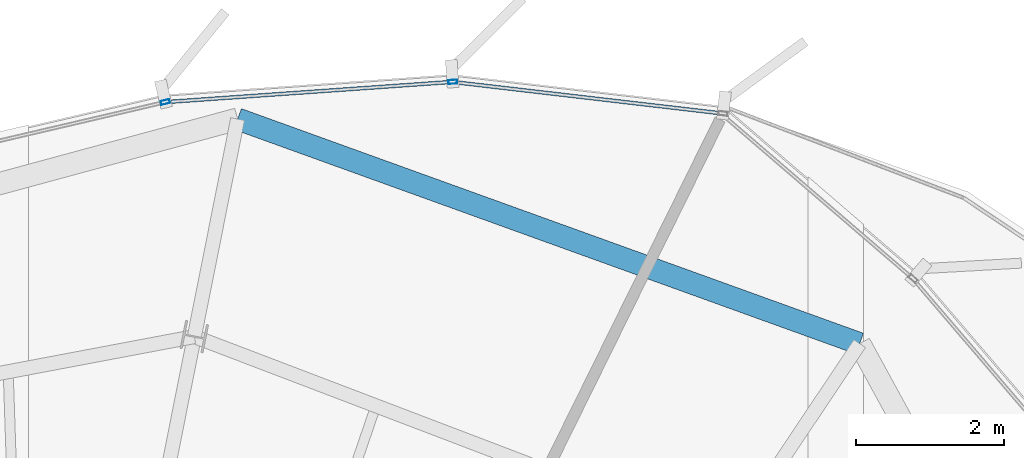
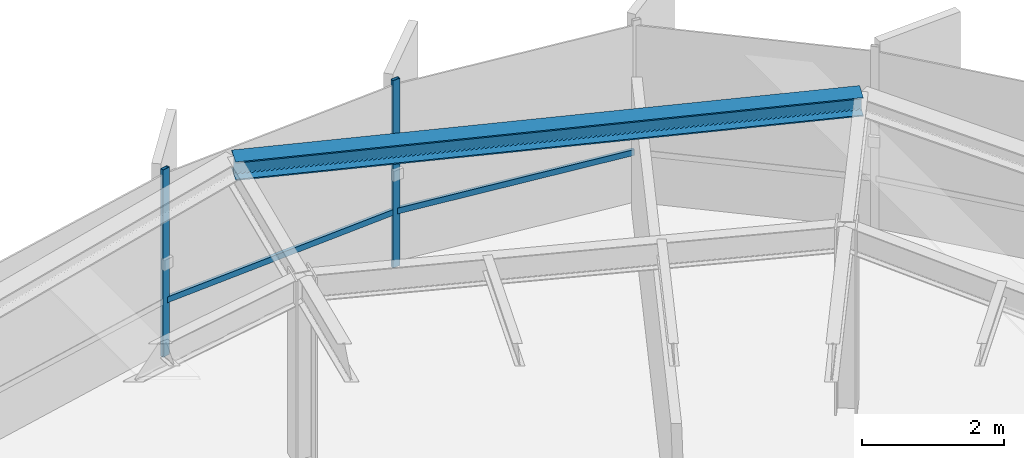
# One storey, part 23 of 34: 4 members, 1 beam, 1 element without a shape of its own.
"""IFC4 building model written with IfcOpenShell, lengths in metres."""

from ifc_helpers import new_model, si_unit, direction, frame, origin, origin_2d, place, context, subcontext, project, spatial, hollow_rectangle, i_section, extrude, source, transform, mapped, material, layer, layer_set, material_profile, profile_set, type_object, element, aggregate, save


model = new_model("IFC4")

# Units and contexts
model_context = context("Model", 3, precision=1e-05, world=origin(), true_north=direction((0.0, 1.0)))
body_context = subcontext(model_context, "Body", "Model", "MODEL_VIEW")
ifc_project = project(units=[si_unit("LENGTHUNIT", "METRE"), si_unit("AREAUNIT", "SQUARE_METRE"), si_unit("VOLUMEUNIT", "CUBIC_METRE"), si_unit("PLANEANGLEUNIT", "RADIAN"), si_unit("MASSUNIT", "GRAM", prefix="KILO"), si_unit("THERMODYNAMICTEMPERATUREUNIT", "KELVIN")], contexts=[model_context])

# Site, building, storey
site_placement = place(None, origin())
site = spatial("IfcSite", under=ifc_project, at=site_placement, CompositionType="ELEMENT")
building_placement = place(site_placement, origin())
building = spatial("IfcBuilding", under=site, at=building_placement, Name="Kethvar Cultural Tower", CompositionType="ELEMENT")
storey_placement = place(building_placement, frame((0.0, 0.0, 231.85009765625)))
storey = spatial("IfcBuildingStorey", under=building, at=storey_placement, Name="L60", CompositionType="ELEMENT", Elevation=231.85009765625)

# Beam
ifc_material_1 = material(Name="Steel S355J2", Category="steel")
ifc_material_profile_1 = material_profile(ifc_material_1, i_section(OverallWidth=0.300048828125, OverallDepth=0.320068359375, WebThickness=0.011474609375, FlangeThickness=0.0205078125, FilletRadius=0.027099609375, at=origin_2d()), Name="Steel S355J2 — HEB320")
ifc_profile_set_1 = profile_set([ifc_material_profile_1], Name="Steel S355J2 — HEB320")
beam_type = type_object("IfcBeamType", Name="BM-SP320", PredefinedType="SPANDREL", material=ifc_profile_set_1)
shared_shape_1 = source(origin(), body_context, "Body", "SweptSolid", [
    extrude(i_section(OverallWidth=0.300048828125, OverallDepth=0.320068359375, WebThickness=0.011474609375, FlangeThickness=0.0205078125, FilletRadius=0.027099609375, at=origin_2d()), origin(), (0.0, 0.0, 1.0), 8.9541015625),
])
beam_placement = place(storey_placement, frame((59.653076171875, 47.035888671875, 3.0478515625), z_axis=(-0.940570351288, 0.339598902055, 0.0), x_axis=(-0.339598902055, -0.940570351288, 0.0)))
element("IfcBeam", 1, at=beam_placement, inside=storey, type_object=beam_type, Name="L60 Perimeter Spandrel Beam SP-03", PredefinedType="SPANDREL", context=body_context, shape_type="MappedRepresentation", body=[
    mapped(shared_shape_1, transform((0.0, 0.0, 0.0), scale=1.0)),
])

# Curtain wall, members
ifc_material_2 = material(Name="Aluminium 6063-T6", Category="aluminium")
ifc_layer = layer(ifc_material_2, 0.179931640625, Name="Aluminium 6063-T6", Category="aluminium")
ifc_layer_set = layer_set([ifc_layer], Name="Aluminium 6063-T6 (180 mm)")
curtain_wall_type = type_object("IfcCurtainWallType", Name="CW-SYS-05-Z56", PredefinedType="NOTDEFINED", material=ifc_layer_set)
curtain_wall_placement = place(storey_placement, origin())
curtain_wall = element("IfcCurtainWall", 2, at=curtain_wall_placement, inside=storey, type_object=curtain_wall_type, Name="L60 Curtain Wall Run 01", PredefinedType="NOTDEFINED")
ifc_material_profile_2 = material_profile(ifc_material_2, hollow_rectangle(XDim=0.054931640625, YDim=0.1201171875, WallThickness=0.00390625, at=origin_2d()), Name="Aluminium 6063-T6 — RHS120x55x4")
ifc_profile_set_2 = profile_set([ifc_material_profile_2], Name="Aluminium 6063-T6 — RHS120x55x4")
member_type_1 = type_object("IfcMemberType", Name="CW-SYS-05-Z56-MUL", PredefinedType="MULLION", material=ifc_profile_set_2)
shared_shape_2 = source(origin(), body_context, "Body", "SweptSolid", [
    extrude(hollow_rectangle(XDim=0.054931640625, YDim=0.1201171875, WallThickness=0.00390625, at=origin_2d()), origin(), (0.0, 0.0, 1.0), 3.2099609375),
])
member_1_placement = place(storey_placement, frame((54.14453125, 50.580078125, 0.0), z_axis=(0.0, 0.0, 1.0), x_axis=(0.070261377325, -0.997528615558, 0.0)))
member_1 = element("IfcMember", 3, at=member_1_placement, type_object=member_type_1, Name="CW-L60-R01 Mullion 4", PredefinedType="MULLION", context=body_context, shape_type="MappedRepresentation", body=[
    mapped(shared_shape_2, transform((0.0, 0.0, 0.0), scale=1.0)),
])
member_2_placement = place(storey_placement, frame((50.252685546875, 50.30712890625, 0.0), z_axis=(0.0, 0.0, 1.0), x_axis=(0.227416196389, -0.973797655378, 0.0)))
member_2 = element("IfcMember", 4, at=member_2_placement, type_object=member_type_1, Name="CW-L60-R01 Mullion 5", PredefinedType="MULLION", context=body_context, shape_type="MappedRepresentation", body=[
    mapped(shared_shape_2, transform((0.0, 0.0, 0.0), scale=1.0)),
])
ifc_material_profile_3 = material_profile(ifc_material_2, hollow_rectangle(XDim=0.050048828125, YDim=0.10009765625, WallThickness=0.00390625, at=origin_2d()), Name="Aluminium 6063-T6 — RHS100x50x4")
ifc_profile_set_3 = profile_set([ifc_material_profile_3], Name="Aluminium 6063-T6 — RHS100x50x4")
member_type_2 = type_object("IfcMemberType", Name="CW-SYS-05-Z56-TRN", PredefinedType="USERDEFINED", material=ifc_profile_set_3)
shared_shape_3 = source(origin(), body_context, "Body", "SweptSolid", [
    extrude(hollow_rectangle(XDim=0.050048828125, YDim=0.10009765625, WallThickness=0.00390625, at=origin_2d()), origin(), (0.0, 0.0, 1.0), 3.622314453125),
])
member_3_placement = place(storey_placement, frame((57.76318359375, 50.156005859375, 0.949951171875), z_axis=(-0.99325783701, 0.115926136911, 0.0), x_axis=(-0.115926136911, -0.99325783701, 0.0)))
member_3 = element("IfcMember", 5, at=member_3_placement, type_object=member_type_2, Name="CW-L60-R01 Transom 3", ObjectType="TRANSOM", PredefinedType="USERDEFINED", context=body_context, shape_type="MappedRepresentation", body=[
    mapped(shared_shape_3, transform((0.0, 0.0, 0.0), scale=1.0)),
])
shared_shape_4 = source(origin(), body_context, "Body", "SweptSolid", [
    extrude(hollow_rectangle(XDim=0.050048828125, YDim=0.10009765625, WallThickness=0.00390625, at=origin_2d()), origin(), (0.0, 0.0, 1.0), 3.838134765625),
])
member_4_placement = place(storey_placement, frame((54.10498046875, 50.577392578125, 0.949951171875), z_axis=(-0.997526692486, -0.070288674608, 0.0), x_axis=(0.070288674608, -0.997526692486, 0.0)))
member_4 = element("IfcMember", 6, at=member_4_placement, type_object=member_type_2, Name="CW-L60-R01 Transom 4", ObjectType="TRANSOM", PredefinedType="USERDEFINED", context=body_context, shape_type="MappedRepresentation", body=[
    mapped(shared_shape_4, transform((0.0, 0.0, 0.0), scale=1.0)),
])
aggregate(curtain_wall, [member_1, member_2, member_3, member_4])

save(model, "model.ifc")
